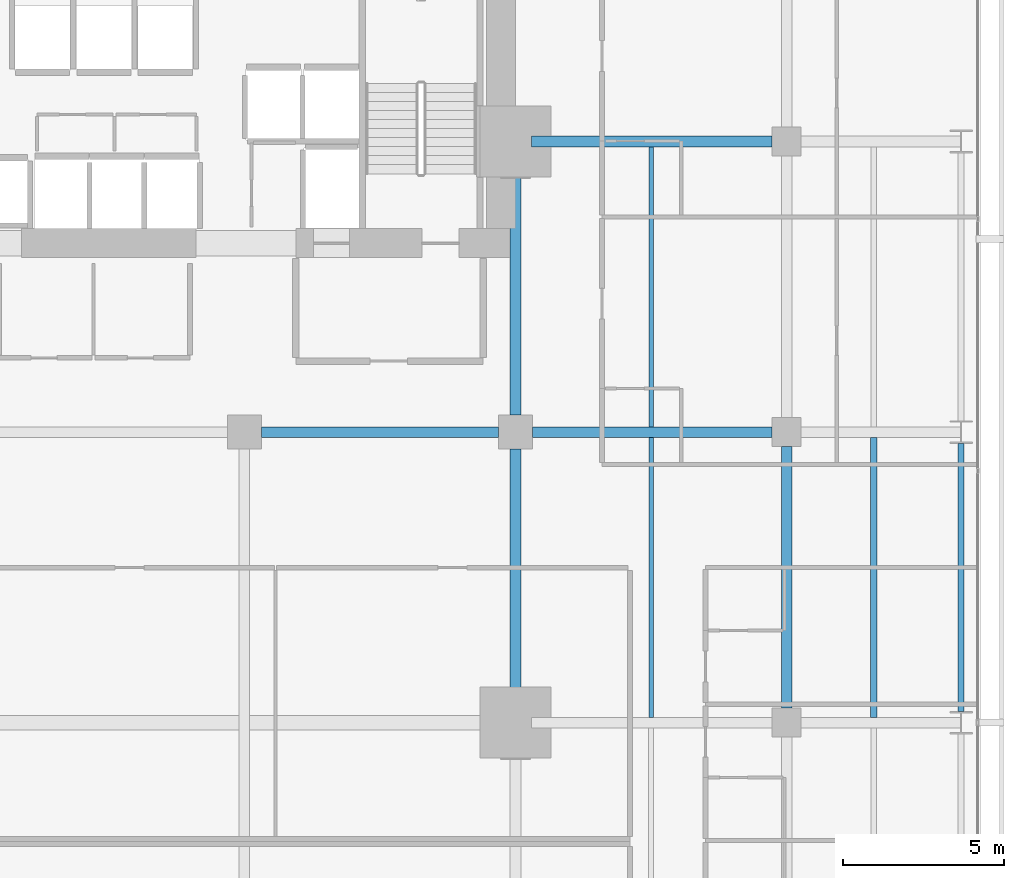
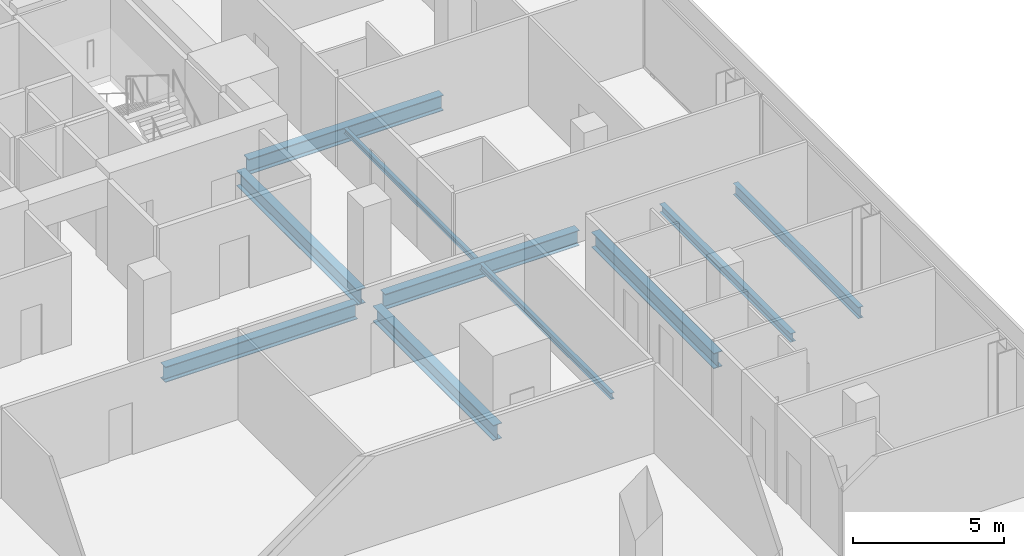
# One storey, part 27 of 40: 10 beams.
"""IFC4 building model written with IfcOpenShell, lengths in metres."""

from ifc_helpers import new_model, si_unit, direction, frame, origin, origin_2d, place, context, subcontext, project, spatial, i_section, extrude, material, material_profile, profile_set, type_object, element, save


model = new_model("IFC4")

# Units and contexts
model_context = context("Model", 3, precision=1e-05, world=origin(), true_north=direction((0.0, 1.0)))
body_context = subcontext(model_context, "Body", "Model", "MODEL_VIEW")
ifc_project = project(units=[si_unit("LENGTHUNIT", "METRE"), si_unit("AREAUNIT", "SQUARE_METRE"), si_unit("VOLUMEUNIT", "CUBIC_METRE"), si_unit("PLANEANGLEUNIT", "RADIAN"), si_unit("MASSUNIT", "GRAM", prefix="KILO")], contexts=[model_context])

# Site, building, storey
site_placement = place(None, origin())
site = spatial("IfcSite", under=ifc_project, at=site_placement, CompositionType="ELEMENT")
building_placement = place(site_placement, origin())
building = spatial("IfcBuilding", under=site, at=building_placement, Name="Maruvema Waterfront Hotel and Observation Tower", CompositionType="ELEMENT")
storey_placement = place(building_placement, frame((0.0, 0.0, 38.5)))
storey = spatial("IfcBuildingStorey", under=building, at=storey_placement, Name="L08", CompositionType="ELEMENT", Elevation=38.5)

# Beams
ifc_material_1 = material(Name="Steel ASTM A572 Grade 50", Category="steel")
ifc_material_profile_1 = material_profile(ifc_material_1, i_section(OverallWidth=0.18994140625, OverallDepth=0.45703125, WebThickness=0.009033203125, FlangeThickness=0.014404296875, FilletRadius=0.014892578125, at=origin_2d()), Name="W460x74.0")
ifc_profile_set_1 = profile_set([ifc_material_profile_1], Name="Steel ASTM A572 Grade 50")
beam_type_1 = type_object("IfcBeamType", Name="Perimeter Spandrel Beam W460x74.0", PredefinedType="SPANDREL", material=ifc_profile_set_1)
beam_1_placement = place(storey_placement, frame((64.199951171875, 27.35009765625, -0.468505859375), z_axis=(0.0, 1.0, 0.0), x_axis=(-1.0, 0.0, 0.0)))
element("IfcBeam", 1, at=beam_1_placement, inside=storey, type_object=beam_type_1, Name="L08 Floor Girder NS-35", PredefinedType="SPANDREL", context=body_context, shape_type="SweptSolid", body=[
    extrude(i_section(OverallWidth=0.18994140625, OverallDepth=0.45703125, WebThickness=0.009033203125, FlangeThickness=0.014404296875, FilletRadius=0.014892578125, at=origin_2d()), origin(), (0.0, 0.0, 1.0), 8.2998046875),
])
ifc_material_2 = material(Name="Steel ASTM A572 Grade 50", Category="steel")
ifc_material_profile_2 = material_profile(ifc_material_2, i_section(OverallWidth=0.326904296875, OverallDepth=0.6220703125, WebThickness=0.015380859375, FlangeThickness=0.0244140625, FilletRadius=0.01806640625, at=origin_2d()), Name="W610x195.0")
ifc_profile_set_2 = profile_set([ifc_material_profile_2], Name="Steel ASTM A572 Grade 50")
beam_type_2 = type_object("IfcBeamType", Name="Primary Floor Girder W610x195.0", PredefinedType="BEAM", material=ifc_profile_set_2)
beam_2_placement = place(storey_placement, frame((42.52490234375, 36.0, -0.551025390625), z_axis=(1.0, 0.0, 0.0), x_axis=(0.0, 1.0, 0.0)))
element("IfcBeam", 2, at=beam_2_placement, inside=storey, type_object=beam_type_2, Name="L08 Floor Girder EW-29", PredefinedType="BEAM", context=body_context, shape_type="SweptSolid", body=[
    extrude(i_section(OverallWidth=0.326904296875, OverallDepth=0.6220703125, WebThickness=0.015380859375, FlangeThickness=0.0244140625, FilletRadius=0.01806640625, at=origin_2d()), origin(), (0.0, 0.0, 1.0), 7.35009765625),
])
beam_3_placement = place(storey_placement, frame((50.925048828125, 36.0, -0.551025390625), z_axis=(1.0, 0.0, 0.0), x_axis=(0.0, 1.0, 0.0)))
element("IfcBeam", 3, at=beam_3_placement, inside=storey, type_object=beam_type_2, Name="L08 Floor Girder EW-30", PredefinedType="BEAM", context=body_context, shape_type="SweptSolid", body=[
    extrude(i_section(OverallWidth=0.326904296875, OverallDepth=0.6220703125, WebThickness=0.015380859375, FlangeThickness=0.0244140625, FilletRadius=0.01806640625, at=origin_2d()), origin(), (0.0, 0.0, 1.0), 7.425048828125),
])
beam_4_placement = place(storey_placement, frame((50.89990234375, 45.0, -0.551025390625), z_axis=(1.0, 0.0, 0.0), x_axis=(0.0, 1.0, 0.0)))
element("IfcBeam", 4, at=beam_4_placement, inside=storey, type_object=beam_type_2, Name="L08 Floor Girder EW-34", PredefinedType="BEAM", context=body_context, shape_type="SweptSolid", body=[
    extrude(i_section(OverallWidth=0.326904296875, OverallDepth=0.6220703125, WebThickness=0.015380859375, FlangeThickness=0.0244140625, FilletRadius=0.01806640625, at=origin_2d()), origin(), (0.0, 0.0, 1.0), 7.4501953125),
])
for number, where, z_axis, x_axis, name in (
    (5, (50.39990234375, 27.5, -0.551025390625), (0.0, 1.0, 0.0), (-1.0, 0.0, 0.0), "L08 Floor Girder NS-25"),
    (6, (50.39990234375, 36.52490234375, -0.551025390625), (0.0, 1.0, 0.0), (-1.0, 0.0, 0.0), "L08 Floor Girder NS-26"),
):
    element("IfcBeam", number, at=place(storey_placement, frame(where, z_axis=z_axis, x_axis=x_axis)), inside=storey, type_object=beam_type_2, Name=name, PredefinedType="BEAM", context=body_context, shape_type="SweptSolid", body=[
        extrude(i_section(OverallWidth=0.326904296875, OverallDepth=0.6220703125, WebThickness=0.015380859375, FlangeThickness=0.0244140625, FilletRadius=0.01806640625, at=origin_2d()), origin(), (0.0, 0.0, 1.0), 7.97509765625),
    ])
beam_5_placement = place(storey_placement, frame((58.800048828125, 27.449951171875, -0.551025390625), z_axis=(0.0, 1.0, 0.0), x_axis=(-1.0, 0.0, 0.0)))
element("IfcBeam", 7, at=beam_5_placement, inside=storey, type_object=beam_type_2, Name="L08 Floor Girder NS-30", PredefinedType="BEAM", context=body_context, shape_type="SweptSolid", body=[
    extrude(i_section(OverallWidth=0.326904296875, OverallDepth=0.6220703125, WebThickness=0.015380859375, FlangeThickness=0.0244140625, FilletRadius=0.01806640625, at=origin_2d()), origin(), (0.0, 0.0, 1.0), 8.10009765625),
])
ifc_material_3 = material(Name="Steel ASTM A572 Grade 50", Category="steel")
ifc_material_profile_3 = material_profile(ifc_material_3, i_section(OverallWidth=0.133056640625, OverallDepth=0.20703125, WebThickness=0.005859375, FlangeThickness=0.00830078125, FilletRadius=0.010009765625, at=origin_2d()), Name="W200x26.6")
ifc_profile_set_3 = profile_set([ifc_material_profile_3], Name="Steel ASTM A572 Grade 50")
beam_type_3 = type_object("IfcBeamType", Name="Secondary Floor Joist W200x26.6", PredefinedType="JOIST", material=ifc_profile_set_3)
beam_6_placement = place(storey_placement, frame((54.60009765625, 36.16357421875, -0.343505859375), z_axis=(0.0, 1.0, 0.0), x_axis=(-1.0, 0.0, 0.0)))
element("IfcBeam", 8, at=beam_6_placement, inside=storey, type_object=beam_type_3, Name="L08 Secondary Floor Joist JS-20", PredefinedType="JOIST", context=body_context, shape_type="SweptSolid", body=[
    extrude(i_section(OverallWidth=0.133056640625, OverallDepth=0.20703125, WebThickness=0.005859375, FlangeThickness=0.00830078125, FilletRadius=0.010009765625, at=origin_2d()), origin(), (0.0, 0.0, 1.0), 8.6728515625),
])
ifc_material_4 = material(Name="Steel ASTM A572 Grade 50", Category="steel")
ifc_material_profile_4 = material_profile(ifc_material_4, i_section(OverallWidth=0.14599609375, OverallDepth=0.258056640625, WebThickness=0.006103515625, FlangeThickness=0.009033203125, FilletRadius=0.012939453125, at=origin_2d()), Name="W250x32.7")
ifc_profile_set_4 = profile_set([ifc_material_profile_4], Name="Steel ASTM A572 Grade 50")
beam_type_4 = type_object("IfcBeamType", Name="Secondary Floor Joist W250x32.7", PredefinedType="JOIST", material=ifc_profile_set_4)
beam_7_placement = place(storey_placement, frame((54.60009765625, 27.16357421875, -0.368896484375), z_axis=(0.0, 1.0, 0.0), x_axis=(-1.0, 0.0, 0.0)))
element("IfcBeam", 9, at=beam_7_placement, inside=storey, type_object=beam_type_4, Name="L08 Secondary Floor Joist JS-19", PredefinedType="JOIST", context=body_context, shape_type="SweptSolid", body=[
    extrude(i_section(OverallWidth=0.14599609375, OverallDepth=0.258056640625, WebThickness=0.006103515625, FlangeThickness=0.009033203125, FilletRadius=0.012939453125, at=origin_2d()), origin(), (0.0, 0.0, 1.0), 8.6728515625),
])
ifc_material_5 = material(Name="Steel ASTM A572 Grade 50", Category="steel")
ifc_material_profile_5 = material_profile(ifc_material_5, i_section(OverallWidth=0.202880859375, OverallDepth=0.346923828125, WebThickness=0.0078125, FlangeThickness=0.013427734375, FilletRadius=0.014892578125, at=origin_2d()), Name="W360x64.0")
ifc_profile_set_5 = profile_set([ifc_material_profile_5], Name="Steel ASTM A572 Grade 50")
beam_type_5 = type_object("IfcBeamType", Name="Secondary Floor Joist W360x64.0", PredefinedType="JOIST", material=ifc_profile_set_5)
beam_8_placement = place(storey_placement, frame((61.5, 27.16357421875, -0.41357421875), z_axis=(0.0, 1.0, 0.0), x_axis=(-1.0, 0.0, 0.0)))
element("IfcBeam", 10, at=beam_8_placement, inside=storey, type_object=beam_type_5, Name="L08 Secondary Floor Joist JS-23", PredefinedType="JOIST", context=body_context, shape_type="SweptSolid", body=[
    extrude(i_section(OverallWidth=0.202880859375, OverallDepth=0.346923828125, WebThickness=0.0078125, FlangeThickness=0.013427734375, FilletRadius=0.014892578125, at=origin_2d()), origin(), (0.0, 0.0, 1.0), 8.6728515625),
])

save(model, "model.ifc")
